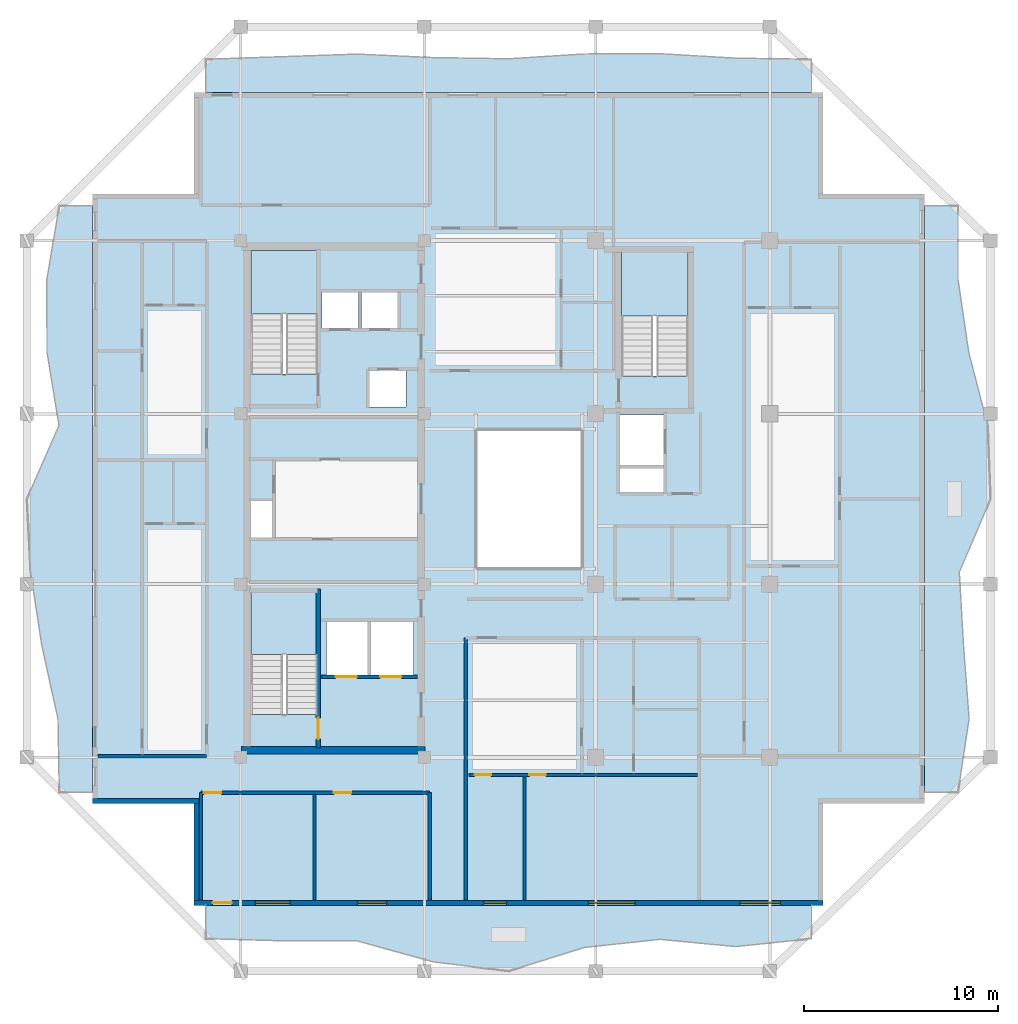
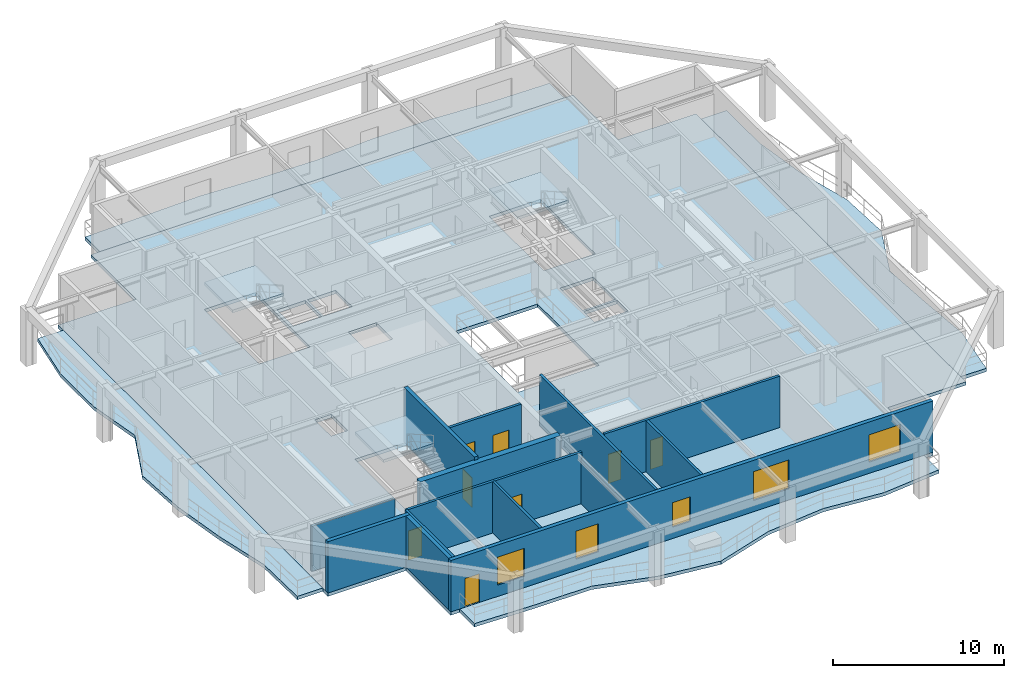
# One storey, part 2 of 11: 14 walls, 8 doors, 8 slabs, 5 windows, 13 openings, 3 elements without a shape of their own.
"""IFC4 building model written with IfcOpenShell, lengths in metres."""

from ifc_helpers import new_model, si_unit, direction, frame, frame_2d, origin, place, context, subcontext, project, spatial, polyline, rectangle, outline, extrude, material, layer, layer_set, type_object, element, fill, aggregate, save


model = new_model("IFC4")

# Units and contexts
model_context = context("Model", 3, precision=1e-05, world=origin(), true_north=direction((0.0, 1.0)))
body_context = subcontext(model_context, "Body", "Model", "MODEL_VIEW")
ifc_project = project(units=[si_unit("LENGTHUNIT", "METRE"), si_unit("AREAUNIT", "SQUARE_METRE"), si_unit("VOLUMEUNIT", "CUBIC_METRE"), si_unit("PLANEANGLEUNIT", "RADIAN"), si_unit("MASSUNIT", "GRAM", prefix="KILO")], contexts=[model_context])

# Site, building, storey
site_placement = place(None, origin())
site = spatial("IfcSite", under=ifc_project, at=site_placement, CompositionType="ELEMENT")
building_placement = place(site_placement, origin())
building = spatial("IfcBuilding", under=site, at=building_placement, Name="Kundavana Baori Tower", CompositionType="ELEMENT")
storey_placement = place(building_placement, frame((0.0, 0.0, 257.0)))
storey = spatial("IfcBuildingStorey", under=building, at=storey_placement, Name="L63", CompositionType="ELEMENT", Elevation=257.0)

# Slab
ifc_material_1 = material(Name="Concrete C40/50", Category="concrete")
ifc_layer_1 = layer(ifc_material_1, 0.239990234375, Name="SLB-FLR-240")
ifc_layer_set_1 = layer_set([ifc_layer_1], Name="Concrete C40/50")
slab_type_1 = type_object("IfcSlabType", Name="SLB-FLR-240", PredefinedType="FLOOR", material=ifc_layer_set_1)
slab_1_placement = place(storey_placement, frame((0.0, 0.0, -0.239990234375)))
element("IfcSlab", 1, at=slab_1_placement, inside=storey, type_object=slab_type_1, Name="L63 Structural Floor Slab", PredefinedType="FLOOR", context=body_context, shape_type="SweptSolid", body=[
    extrude(outline(polyline([(13.050048828125, 7.60009765625), (45.550048828125, 7.60009765625), (45.550048828125, 12.85009765625), (50.800048828125, 12.85009765625), (50.800048828125, 44.35009765625), (45.550048828125, 44.35009765625), (45.550048828125, 49.60009765625), (13.050048828125, 49.60009765625), (13.050048828125, 44.35009765625), (7.800048828125, 44.35009765625), (7.800048828125, 12.85009765625), (13.050048828125, 12.85009765625), (13.050048828125, 7.60009765625)]), holes=[polyline([(19.43994140625, 17.4619140625), (19.43994140625, 23.85009765625), (15.97998046875, 23.85009765625), (15.97998046875, 17.4619140625), (19.43994140625, 17.4619140625)]), polyline([(19.43994140625, 35.06201171875), (19.43994140625, 41.449951171875), (15.97998046875, 41.449951171875), (15.97998046875, 35.06201171875), (19.43994140625, 35.06201171875)]), polyline([(38.580078125, 34.9619140625), (38.580078125, 41.35009765625), (35.1201171875, 41.35009765625), (35.1201171875, 34.9619140625), (38.580078125, 34.9619140625)]), polyline([(19.64990234375, 37.39990234375), (21.550048828125, 37.39990234375), (21.550048828125, 39.300048828125), (19.64990234375, 39.300048828125), (19.64990234375, 37.39990234375)]), polyline([(21.699951171875, 37.39990234375), (23.60009765625, 37.39990234375), (23.60009765625, 39.300048828125), (21.699951171875, 39.300048828125), (21.699951171875, 37.39990234375)]), polyline([(22.10009765625, 33.35009765625), (24.0, 33.35009765625), (24.0, 35.25), (22.10009765625, 35.25), (22.10009765625, 33.35009765625)]), polyline([(19.8798828125, 19.5), (22.02001953125, 19.5), (22.02001953125, 22.25), (19.8798828125, 22.25), (19.8798828125, 19.5)]), polyline([(22.179931640625, 19.5), (24.3798828125, 19.5), (24.3798828125, 22.25), (22.179931640625, 22.25), (22.179931640625, 19.5)]), polyline([(35.050048828125, 30.35009765625), (37.300048828125, 30.35009765625), (37.300048828125, 32.949951171875), (35.050048828125, 32.949951171875), (35.050048828125, 30.35009765625)]), polyline([(15.949951171875, 26.60009765625), (17.080078125, 26.60009765625), (17.080078125, 28.5), (15.949951171875, 28.5), (15.949951171875, 26.60009765625)]), polyline([(35.050048828125, 28.949951171875), (37.300048828125, 28.949951171875), (37.300048828125, 30.199951171875), (35.050048828125, 30.199951171875), (35.050048828125, 28.949951171875)]), polyline([(27.60009765625, 25.0), (33.10009765625, 25.0), (33.10009765625, 32.199951171875), (27.60009765625, 32.199951171875), (27.60009765625, 25.0)])]), origin(), (0.0, 0.0, 1.0), 0.239990234375),
])

# Stair, slab
ifc_material_2 = material(Name="Concrete C40/50", Category="concrete")
stair_type = type_object("IfcStairType", Name="STR-DOG-1650", PredefinedType="HALF_TURN_STAIR", material=ifc_material_2)
stair_1_placement = place(storey_placement, origin())
stair_1 = element("IfcStair", 2, at=stair_1_placement, inside=storey, type_object=stair_type, Name="L63 Protected Exit Stair ST1", PredefinedType="HALF_TURN_STAIR")
ifc_material_3 = material(Name="Concrete C40/50", Category="concrete")
ifc_layer_2 = layer(ifc_material_3, 0.199951171875, Name="SLB-LND-200")
ifc_layer_set_2 = layer_set([ifc_layer_2], Name="Concrete C40/50")
slab_type_2 = type_object("IfcSlabType", Name="SLB-LND-200", PredefinedType="LANDING", material=ifc_layer_set_2)
slab_2_placement = place(storey_placement, frame((0.0, 0.0, 1.75)))
slab_2 = element("IfcSlab", 3, at=slab_2_placement, type_object=slab_type_2, Name="ST1 landing 1", PredefinedType="LANDING", context=body_context, shape_type="SweptSolid", body=[
    extrude(outline(polyline([(19.43994140625, 20.550048828125), (19.43994140625, 23.85009765625), (15.97998046875, 23.85009765625), (15.97998046875, 20.550048828125), (19.43994140625, 20.550048828125)])), origin(), (0.0, 0.0, 1.0), 0.199951171875),
])
aggregate(stair_1, [slab_2])

stair_2_placement = place(storey_placement, origin())
stair_2 = element("IfcStair", 4, at=stair_2_placement, inside=storey, type_object=stair_type, Name="L63 Protected Exit Stair ST2", PredefinedType="HALF_TURN_STAIR")
slab_3_placement = place(storey_placement, frame((0.0, 0.0, 1.75)))
slab_3 = element("IfcSlab", 5, at=slab_3_placement, type_object=slab_type_2, Name="ST2 landing 1", PredefinedType="LANDING", context=body_context, shape_type="SweptSolid", body=[
    extrude(outline(polyline([(19.43994140625, 38.14990234375), (19.43994140625, 41.449951171875), (15.97998046875, 41.449951171875), (15.97998046875, 38.14990234375), (19.43994140625, 38.14990234375)])), origin(), (0.0, 0.0, 1.0), 0.199951171875),
])
aggregate(stair_2, [slab_3])

stair_3_placement = place(storey_placement, origin())
stair_3 = element("IfcStair", 6, at=stair_3_placement, inside=storey, type_object=stair_type, Name="L63 Protected Exit Stair ST3", PredefinedType="HALF_TURN_STAIR")
slab_4_placement = place(storey_placement, frame((0.0, 0.0, 1.75)))
slab_4 = element("IfcSlab", 7, at=slab_4_placement, type_object=slab_type_2, Name="ST3 landing 1", PredefinedType="LANDING", context=body_context, shape_type="SweptSolid", body=[
    extrude(outline(polyline([(38.580078125, 38.050048828125), (38.580078125, 41.35009765625), (35.1201171875, 41.35009765625), (35.1201171875, 38.050048828125), (38.580078125, 38.050048828125)])), origin(), (0.0, 0.0, 1.0), 0.199951171875),
])
aggregate(stair_3, [slab_4])

# Slabs
ifc_material_4 = material(Name="Concrete C40/50", Category="concrete")
ifc_layer_3 = layer(ifc_material_4, 0.239990234375, Name="SLB-LOG-240")
ifc_layer_set_3 = layer_set([ifc_layer_3], Name="Concrete C40/50")
slab_type_3 = type_object("IfcSlabType", Name="SLB-LOG-240", PredefinedType="FLOOR", material=ifc_layer_set_3)
slab_5_placement = place(storey_placement, frame((0.0, 0.0, -0.239990234375)))
element("IfcSlab", 8, at=slab_5_placement, inside=storey, type_object=slab_type_3, Name="L63 Planted Loggia Balcony Slab S", PredefinedType="FLOOR", context=body_context, shape_type="SweptSolid", body=[
    extrude(outline(polyline([(13.64990234375, 7.60009765625), (44.949951171875, 7.60009765625), (44.949951171875, 5.8798828125), (41.0380859375, 5.468994140625), (37.125, 5.843017578125), (33.212890625, 5.425048828125), (29.300048828125, 4.199951171875), (25.387939453125, 4.68505859375), (21.47509765625, 5.761962890625), (17.56201171875, 5.76904296875), (13.64990234375, 5.8798828125), (13.64990234375, 7.60009765625)])), origin(), (0.0, 0.0, 1.0), 0.239990234375),
])
slab_6_placement = place(storey_placement, frame((0.0, 0.0, -0.239990234375)))
element("IfcSlab", 9, at=slab_6_placement, inside=storey, type_object=slab_type_3, Name="L63 Planted Loggia Balcony Slab E", PredefinedType="FLOOR", context=body_context, shape_type="SweptSolid", body=[
    extrude(outline(polyline([(50.800048828125, 13.449951171875), (50.800048828125, 43.75), (52.52001953125, 43.75), (52.52001953125, 39.9619140625), (53.073974609375, 36.175048828125), (54.05908203125, 32.387939453125), (54.199951171875, 28.60009765625), (52.589111328125, 24.81201171875), (52.805908203125, 21.02490234375), (53.093994140625, 17.238037109375), (52.52001953125, 13.449951171875), (50.800048828125, 13.449951171875)])), origin(), (0.0, 0.0, 1.0), 0.239990234375),
])
slab_7_placement = place(storey_placement, frame((0.0, 0.0, -0.239990234375)))
element("IfcSlab", 10, at=slab_7_placement, inside=storey, type_object=slab_type_3, Name="L63 Planted Loggia Balcony Slab N", PredefinedType="FLOOR", context=body_context, shape_type="SweptSolid", body=[
    extrude(outline(polyline([(44.949951171875, 49.60009765625), (13.64990234375, 49.60009765625), (13.64990234375, 51.320068359375), (17.56201171875, 51.452880859375), (21.47509765625, 51.5869140625), (25.387939453125, 51.408935546875), (29.300048828125, 51.345947265625), (33.212890625, 51.593994140625), (37.125, 51.60791015625), (41.0380859375, 51.3779296875), (44.949951171875, 51.320068359375), (44.949951171875, 49.60009765625)])), origin(), (0.0, 0.0, 1.0), 0.239990234375),
])
slab_8_placement = place(storey_placement, frame((0.0, 0.0, -0.239990234375)))
element("IfcSlab", 11, at=slab_8_placement, inside=storey, type_object=slab_type_3, Name="L63 Planted Loggia Balcony Slab W", PredefinedType="FLOOR", context=body_context, shape_type="SweptSolid", body=[
    extrude(outline(polyline([(7.800048828125, 43.75), (7.800048828125, 13.449951171875), (6.080078125, 13.449951171875), (6.010986328125, 17.238037109375), (5.177978515625, 21.02490234375), (4.596923828125, 24.81201171875), (4.39990234375, 28.60009765625), (6.06689453125, 32.387939453125), (5.446044921875, 36.175048828125), (5.43798828125, 39.9619140625), (6.080078125, 43.75), (7.800048828125, 43.75)])), origin(), (0.0, 0.0, 1.0), 0.239990234375),
])

# Wall
ifc_material_5 = material(Name="Concrete C50/60", Category="concrete")
ifc_layer_4 = layer(ifc_material_5, 0.39990234375, Name="WL-CORE-400")
ifc_layer_set_4 = layer_set([ifc_layer_4], Name="Concrete C50/60")
wall_type_1 = type_object("IfcWallType", Name="WL-CORE-400", PredefinedType="SHEAR", material=ifc_layer_set_4)
wall_1_placement = place(storey_placement, frame((15.5, 15.610107421875, 0.0), z_axis=(0.0, 0.0, 1.0), x_axis=(1.0, 0.0, 0.0)))
element("IfcWall", 12, at=wall_1_placement, inside=storey, type_object=wall_type_1, Name="L63 Offset Core South Shear Wall", PredefinedType="SHEAR", context=body_context, shape_type="SweptSolid", body=[
    extrude(rectangle(XDim=9.47998046875, YDim=0.39990234375, at=frame_2d((4.739990234375, 0.0))), origin(), (0.0, 0.0, 1.0), 3.659912109375),
])

# Wall, opening, door
wall_2_placement = place(storey_placement, frame((19.4599609375, 15.739990234375, 0.0), z_axis=(0.0, 0.0, 1.0), x_axis=(0.0, 1.0, 0.0)))
wall_2 = element("IfcWall", 13, at=wall_2_placement, inside=storey, type_object=wall_type_1, Name="WL-L63-ST1-E", PredefinedType="SHEAR", context=body_context, shape_type="SweptSolid", body=[
    extrude(rectangle(XDim=8.199951171875, YDim=0.239990234375, at=frame_2d((4.10009765625, 0.0))), origin(), (0.0, 0.0, 1.0), 3.89990234375),
])
opening_1_placement = place(wall_2_placement, frame((0.449951171875, 0.0, 0.0)))
opening_1 = element("IfcOpeningElement", 14, at=opening_1_placement, cuts=wall_2, Name="Opening FD-110", PredefinedType="OPENING", context=body_context, shape_type="SweptSolid", body=[
    extrude(rectangle(XDim=1.10009765625, YDim=2.10009765625, at=frame_2d((0.550048828125, 1.050048828125))), frame((0.0, 0.1298828125, 0.0), z_axis=(0.0, -1.0, 0.0), x_axis=(1.0, 0.0, 0.0)), (0.0, 0.0, 1.0), 0.260009765625),
])
ifc_material_6 = material(Name="Galvanised Steel Fire-Rated Door Leaf", Category="steel")
door_type_1 = type_object("IfcDoorType", Name="DR-FD120-1100", OperationType="NOTDEFINED", PredefinedType="DOOR", material=ifc_material_6)
door_1_placement = place(opening_1_placement, origin())
door_1 = element("IfcDoor", 15, at=door_1_placement, inside=storey, type_object=door_type_1, Name="DR-L63-ST1", OperationType="SINGLE_SWING_LEFT", OverallHeight=2.10009765625, OverallWidth=1.10009765625, PredefinedType="DOOR", context=body_context, shape_type="SweptSolid", body=[
    extrude(rectangle(XDim=1.10009765625, YDim=2.10009765625, at=frame_2d((0.550048828125, 1.050048828125))), frame((0.0, 0.02490234375, 0.0), z_axis=(0.0, -1.0, 0.0), x_axis=(1.0, 0.0, 0.0)), (0.0, 0.0, 1.0), 0.050048828125),
])
fill(opening_1, door_1)

# Wall, openings, door, windows
ifc_material_7 = material(Name="Kiln-Fired Terracotta Brick-Slip Masonry on Concrete C40/50", Category="masonry")
ifc_layer_5 = layer(ifc_material_7, 0.260009765625, Name="WL-EXT-BRK-260")
ifc_layer_set_5 = layer_set([ifc_layer_5], Name="Kiln-Fired Terracotta Brick-Slip Masonry on Concrete C40/50")
wall_type_2 = type_object("IfcWallType", Name="WL-EXT-BRK-260", PredefinedType="SOLIDWALL", material=ifc_layer_set_5)
wall_3_placement = place(storey_placement, frame((13.050048828125, 7.72998046875, 0.0), z_axis=(0.0, 0.0, 1.0), x_axis=(1.0, 0.0, 0.0)))
wall_3 = element("IfcWall", 16, at=wall_3_placement, inside=storey, type_object=wall_type_2, Name="L63 Exterior Insulated Facade Wall 01", PredefinedType="SOLIDWALL", context=body_context, shape_type="SweptSolid", body=[
    extrude(rectangle(XDim=32.5, YDim=0.260009765625, at=frame_2d((16.25, 0.0))), origin(), (0.0, 0.0, 1.0), 3.659912109375),
])
opening_2_placement = place(wall_3_placement, frame((0.949951171875, 0.0, 0.0)))
opening_2 = element("IfcOpeningElement", 17, at=opening_2_placement, cuts=wall_3, Name="Opening BD-1", PredefinedType="OPENING", context=body_context, shape_type="SweptSolid", body=[
    extrude(rectangle(XDim=1.0, YDim=2.050048828125, at=frame_2d((0.5, 1.02490234375))), frame((0.0, 0.14013671875, 0.0), z_axis=(0.0, -1.0, 0.0), x_axis=(1.0, 0.0, 0.0)), (0.0, 0.0, 1.0), 0.280029296875),
])
opening_3_placement = place(wall_3_placement, frame((3.159912109375, 0.0, 0.800048828125)))
opening_3 = element("IfcOpeningElement", 18, at=opening_3_placement, cuts=wall_3, Name="Opening W-01", PredefinedType="OPENING", context=body_context, shape_type="SweptSolid", body=[
    extrude(rectangle(XDim=1.800048828125, YDim=2.0, at=frame_2d((0.89990234375, 1.0))), frame((0.0, 0.14013671875, 0.0), z_axis=(0.0, -1.0, 0.0), x_axis=(1.0, 0.0, 0.0)), (0.0, 0.0, 1.0), 0.280029296875),
])
opening_4_placement = place(wall_3_placement, frame((8.445068359375, 0.0, 0.800048828125)))
opening_4 = element("IfcOpeningElement", 19, at=opening_4_placement, cuts=wall_3, Name="Opening W-02", PredefinedType="OPENING", context=body_context, shape_type="SweptSolid", body=[
    extrude(rectangle(XDim=1.5, YDim=2.0, at=frame_2d((0.75, 1.0))), frame((0.0, 0.14013671875, 0.0), z_axis=(0.0, -1.0, 0.0), x_axis=(1.0, 0.0, 0.0)), (0.0, 0.0, 1.0), 0.280029296875),
])
opening_5_placement = place(wall_3_placement, frame((14.951904296875, 0.0, 0.800048828125)))
opening_5 = element("IfcOpeningElement", 20, at=opening_5_placement, cuts=wall_3, Name="Opening W-03", PredefinedType="OPENING", context=body_context, shape_type="SweptSolid", body=[
    extrude(rectangle(XDim=1.199951171875, YDim=1.75, at=frame_2d((0.60009765625, 0.875))), frame((0.0, 0.14013671875, 0.0), z_axis=(0.0, -1.0, 0.0), x_axis=(1.0, 0.0, 0.0)), (0.0, 0.0, 1.0), 0.280029296875),
])
opening_6_placement = place(wall_3_placement, frame((20.387939453125, 0.0, 0.800048828125)))
opening_6 = element("IfcOpeningElement", 21, at=opening_6_placement, cuts=wall_3, Name="Opening W-04", PredefinedType="OPENING", context=body_context, shape_type="SweptSolid", body=[
    extrude(rectangle(XDim=2.39990234375, YDim=2.050048828125, at=frame_2d((1.199951171875, 1.02490234375))), frame((0.0, 0.14013671875, 0.0), z_axis=(0.0, -1.0, 0.0), x_axis=(1.0, 0.0, 0.0)), (0.0, 0.0, 1.0), 0.280029296875),
])
opening_7_placement = place(wall_3_placement, frame((28.195068359375, 0.0, 0.800048828125)))
opening_7 = element("IfcOpeningElement", 22, at=opening_7_placement, cuts=wall_3, Name="Opening W-05", PredefinedType="OPENING", context=body_context, shape_type="SweptSolid", body=[
    extrude(rectangle(XDim=2.10009765625, YDim=1.949951171875, at=frame_2d((1.050048828125, 0.97509765625))), frame((0.0, 0.14013671875, 0.0), z_axis=(0.0, -1.0, 0.0), x_axis=(1.0, 0.0, 0.0)), (0.0, 0.0, 1.0), 0.280029296875),
])
ifc_material_8 = material(Name="Architectural Patinated Bronze Metalwork")
door_type_2 = type_object("IfcDoorType", Name="DR-EXT-LOG-1000", OperationType="NOTDEFINED", PredefinedType="DOOR", material=ifc_material_8)
door_2_placement = place(opening_2_placement, frame((1.0, 0.0, 0.0), z_axis=(0.0, 0.0, 1.0), x_axis=(-1.0, 0.0, 0.0)))
door_2 = element("IfcDoor", 23, at=door_2_placement, inside=storey, type_object=door_type_2, Name="L63 Loggia Balcony Access Door S", OperationType="SINGLE_SWING_LEFT", OverallHeight=2.050048828125, OverallWidth=1.0, PredefinedType="DOOR", context=body_context, shape_type="SweptSolid", body=[
    extrude(rectangle(XDim=1.0, YDim=2.050048828125, at=frame_2d((0.5, 1.02490234375))), frame((0.0, 0.02490234375, 0.0), z_axis=(0.0, -1.0, 0.0), x_axis=(1.0, 0.0, 0.0)), (0.0, 0.0, 1.0), 0.050048828125),
])
fill(opening_2, door_2)
ifc_material_9 = material(Name="Double-Glazed Solar-Control Low-E Insulated Glass", Category="glass")
window_type_1 = type_object("IfcWindowType", Name="WIN-LOG-1200x1750", PartitioningType="SINGLE_PANEL", PredefinedType="WINDOW", material=ifc_material_9)
window_1_placement = place(opening_5_placement, origin())
window_1 = element("IfcWindow", 24, at=window_1_placement, inside=storey, type_object=window_type_1, Name="L63 Recessed Loggia Window S-3", OverallHeight=1.75, OverallWidth=1.199951171875, PartitioningType="SINGLE_PANEL", PredefinedType="WINDOW", context=body_context, shape_type="SweptSolid", body=[
    extrude(rectangle(XDim=1.199951171875, YDim=1.75, at=frame_2d((0.60009765625, 0.875))), frame((0.0, 0.030029296875, 0.0), z_axis=(0.0, -1.0, 0.0), x_axis=(1.0, 0.0, 0.0)), (0.0, 0.0, 1.0), 0.06005859375),
])
fill(opening_5, window_1)
ifc_material_10 = material(Name="Double-Glazed Solar-Control Low-E Insulated Glass", Category="glass")
window_type_2 = type_object("IfcWindowType", Name="WIN-LOG-1500x2000", PartitioningType="SINGLE_PANEL", PredefinedType="WINDOW", material=ifc_material_10)
window_2_placement = place(opening_4_placement, origin())
window_2 = element("IfcWindow", 25, at=window_2_placement, inside=storey, type_object=window_type_2, Name="L63 Recessed Loggia Window S-2", OverallHeight=2.0, OverallWidth=1.5, PartitioningType="SINGLE_PANEL", PredefinedType="WINDOW", context=body_context, shape_type="SweptSolid", body=[
    extrude(rectangle(XDim=1.5, YDim=2.0, at=frame_2d((0.75, 1.0))), frame((0.0, 0.030029296875, 0.0), z_axis=(0.0, -1.0, 0.0), x_axis=(1.0, 0.0, 0.0)), (0.0, 0.0, 1.0), 0.06005859375),
])
fill(opening_4, window_2)
ifc_material_11 = material(Name="Double-Glazed Solar-Control Low-E Insulated Glass", Category="glass")
window_type_3 = type_object("IfcWindowType", Name="WIN-LOG-1800x2000", PartitioningType="SINGLE_PANEL", PredefinedType="WINDOW", material=ifc_material_11)
window_3_placement = place(opening_3_placement, origin())
window_3 = element("IfcWindow", 26, at=window_3_placement, inside=storey, type_object=window_type_3, Name="L63 Recessed Loggia Window S-1", OverallHeight=2.0, OverallWidth=1.800048828125, PartitioningType="SINGLE_PANEL", PredefinedType="WINDOW", context=body_context, shape_type="SweptSolid", body=[
    extrude(rectangle(XDim=1.800048828125, YDim=2.0, at=frame_2d((0.89990234375, 1.0))), frame((0.0, 0.030029296875, 0.0), z_axis=(0.0, -1.0, 0.0), x_axis=(1.0, 0.0, 0.0)), (0.0, 0.0, 1.0), 0.06005859375),
])
fill(opening_3, window_3)
ifc_material_12 = material(Name="Double-Glazed Solar-Control Low-E Insulated Glass", Category="glass")
window_type_4 = type_object("IfcWindowType", Name="WIN-LOG-2100x1950", PartitioningType="SINGLE_PANEL", PredefinedType="WINDOW", material=ifc_material_12)
window_4_placement = place(opening_7_placement, origin())
window_4 = element("IfcWindow", 27, at=window_4_placement, inside=storey, type_object=window_type_4, Name="L63 Recessed Loggia Window S-5", OverallHeight=1.949951171875, OverallWidth=2.10009765625, PartitioningType="SINGLE_PANEL", PredefinedType="WINDOW", context=body_context, shape_type="SweptSolid", body=[
    extrude(rectangle(XDim=2.10009765625, YDim=1.949951171875, at=frame_2d((1.050048828125, 0.97509765625))), frame((0.0, 0.030029296875, 0.0), z_axis=(0.0, -1.0, 0.0), x_axis=(1.0, 0.0, 0.0)), (0.0, 0.0, 1.0), 0.06005859375),
])
fill(opening_7, window_4)
ifc_material_13 = material(Name="Double-Glazed Solar-Control Low-E Insulated Glass", Category="glass")
window_type_5 = type_object("IfcWindowType", Name="WIN-LOG-2400x2050", PartitioningType="SINGLE_PANEL", PredefinedType="WINDOW", material=ifc_material_13)
window_5_placement = place(opening_6_placement, origin())
window_5 = element("IfcWindow", 28, at=window_5_placement, inside=storey, type_object=window_type_5, Name="L63 Recessed Loggia Window S-4", OverallHeight=2.050048828125, OverallWidth=2.39990234375, PartitioningType="SINGLE_PANEL", PredefinedType="WINDOW", context=body_context, shape_type="SweptSolid", body=[
    extrude(rectangle(XDim=2.39990234375, YDim=2.050048828125, at=frame_2d((1.199951171875, 1.02490234375))), frame((0.0, 0.030029296875, 0.0), z_axis=(0.0, -1.0, 0.0), x_axis=(1.0, 0.0, 0.0)), (0.0, 0.0, 1.0), 0.06005859375),
])
fill(opening_6, window_5)

# Walls
wall_4_placement = place(storey_placement, frame((7.800048828125, 12.97998046875, 0.0), z_axis=(0.0, 0.0, 1.0), x_axis=(1.0, 0.0, 0.0)))
element("IfcWall", 29, at=wall_4_placement, inside=storey, type_object=wall_type_2, Name="L63 Exterior Insulated Facade Wall 11", PredefinedType="SOLIDWALL", context=body_context, shape_type="SweptSolid", body=[
    extrude(rectangle(XDim=5.510009765625, YDim=0.260009765625, at=frame_2d((2.7548828125, 0.0))), origin(), (0.0, 0.0, 1.0), 3.659912109375),
])
wall_5_placement = place(storey_placement, frame((13.179931640625, 12.85009765625, 0.0), z_axis=(0.0, 0.0, 1.0), x_axis=(0.0, -1.0, 0.0)))
element("IfcWall", 30, at=wall_5_placement, inside=storey, type_object=wall_type_2, Name="L63 Exterior Insulated Facade Wall 12", PredefinedType="SOLIDWALL", context=body_context, shape_type="SweptSolid", body=[
    extrude(rectangle(XDim=4.989990234375, YDim=0.260009765625, at=frame_2d((2.4951171875, 0.0))), origin(), (0.0, 0.0, 1.0), 3.659912109375),
])
ifc_material_14 = material(Name="Fire-Rated Gypsum Drywall on Galvanised Steel Studs", Category="steel")
ifc_layer_6 = layer(ifc_material_14, 0.1650390625, Name="WL-PART-165")
ifc_layer_set_6 = layer_set([ifc_layer_6], Name="Fire-Rated Gypsum Drywall on Galvanised Steel Studs")
wall_type_3 = type_object("IfcWallType", Name="WL-PART-165", PredefinedType="PARTITIONING", material=ifc_layer_set_6)
wall_6_placement = place(storey_placement, frame((27.080078125, 7.8798828125, 0.0), z_axis=(0.0, 0.0, 1.0), x_axis=(0.0, 1.0, 0.0)))
element("IfcWall", 31, at=wall_6_placement, inside=storey, type_object=wall_type_3, Name="WL-L63-RSW", PredefinedType="PARTITIONING", context=body_context, shape_type="SweptSolid", body=[
    extrude(rectangle(XDim=13.5400390625, YDim=0.1650390625, at=frame_2d((6.77001953125, 0.0))), origin(), (0.0, 0.0, 1.0), 3.659912109375),
])

# Wall, openings, doors
wall_7_placement = place(storey_placement, frame((13.39990234375, 13.419921875, 0.0), z_axis=(0.0, 0.0, 1.0), x_axis=(1.0, 0.0, 0.0)))
wall_7 = element("IfcWall", 32, at=wall_7_placement, inside=storey, type_object=wall_type_3, Name="WL-L63-RSC", PredefinedType="PARTITIONING", context=body_context, shape_type="SweptSolid", body=[
    extrude(rectangle(XDim=11.820068359375, YDim=0.1650390625, at=frame_2d((5.91015625, 0.0))), origin(), (0.0, 0.0, 1.0), 3.659912109375),
])
opening_8_placement = place(wall_7_placement, frame((0.14990234375, 0.0, 0.0)))
opening_8 = element("IfcOpeningElement", 33, at=opening_8_placement, cuts=wall_7, Name="Opening ID-090", PredefinedType="OPENING", context=body_context, shape_type="SweptSolid", body=[
    extrude(rectangle(XDim=0.89990234375, YDim=2.080078125, at=frame_2d((0.449951171875, 1.0400390625))), frame((0.0, 0.092529296875, 0.0), z_axis=(0.0, -1.0, 0.0), x_axis=(1.0, 0.0, 0.0)), (0.0, 0.0, 1.0), 0.18505859375),
])
opening_9_placement = place(wall_7_placement, frame((6.8701171875, 0.0, 0.0)))
opening_9 = element("IfcOpeningElement", 34, at=opening_9_placement, cuts=wall_7, Name="Opening ID-090", PredefinedType="OPENING", context=body_context, shape_type="SweptSolid", body=[
    extrude(rectangle(XDim=0.89990234375, YDim=2.080078125, at=frame_2d((0.449951171875, 1.0400390625))), frame((0.0, 0.092529296875, 0.0), z_axis=(0.0, -1.0, 0.0), x_axis=(1.0, 0.0, 0.0)), (0.0, 0.0, 1.0), 0.18505859375),
])
ifc_material_15 = material(Name="Engineered Teak Solid-Core Timber Veneer", Category="wood")
door_type_3 = type_object("IfcDoorType", Name="DR-INT-900", OperationType="NOTDEFINED", PredefinedType="DOOR", material=ifc_material_15)
door_3_placement = place(opening_8_placement, frame((0.89990234375, 0.0, 0.0), z_axis=(0.0, 0.0, 1.0), x_axis=(-1.0, 0.0, 0.0)))
door_3 = element("IfcDoor", 35, at=door_3_placement, inside=storey, type_object=door_type_3, Name="DR-L63-RMSW1", OperationType="SINGLE_SWING_LEFT", OverallHeight=2.080078125, OverallWidth=0.89990234375, PredefinedType="DOOR", context=body_context, shape_type="SweptSolid", body=[
    extrude(rectangle(XDim=0.89990234375, YDim=2.080078125, at=frame_2d((0.449951171875, 1.0400390625))), frame((0.0, 0.02490234375, 0.0), z_axis=(0.0, -1.0, 0.0), x_axis=(1.0, 0.0, 0.0)), (0.0, 0.0, 1.0), 0.050048828125),
])
fill(opening_8, door_3)
door_4_placement = place(opening_9_placement, frame((0.89990234375, 0.0, 0.0), z_axis=(0.0, 0.0, 1.0), x_axis=(-1.0, 0.0, 0.0)))
door_4 = element("IfcDoor", 36, at=door_4_placement, inside=storey, type_object=door_type_3, Name="DR-L63-RMSW2", OperationType="SINGLE_SWING_RIGHT", OverallHeight=2.080078125, OverallWidth=0.89990234375, PredefinedType="DOOR", context=body_context, shape_type="SweptSolid", body=[
    extrude(rectangle(XDim=0.89990234375, YDim=2.080078125, at=frame_2d((0.449951171875, 1.0400390625))), frame((0.0, 0.02490234375, 0.0), z_axis=(0.0, -1.0, 0.0), x_axis=(1.0, 0.0, 0.0)), (0.0, 0.0, 1.0), 0.050048828125),
])
fill(opening_9, door_4)

# Walls
wall_8_placement = place(storey_placement, frame((13.39990234375, 7.8798828125, 0.0), z_axis=(0.0, 0.0, 1.0), x_axis=(0.0, 1.0, 0.0)))
element("IfcWall", 37, at=wall_8_placement, inside=storey, type_object=wall_type_3, Name="WL-L63-RSCW", PredefinedType="PARTITIONING", context=body_context, shape_type="SweptSolid", body=[
    extrude(rectangle(XDim=5.5400390625, YDim=0.1650390625, at=frame_2d((2.77001953125, 0.0))), origin(), (0.0, 0.0, 1.0), 3.659912109375),
])
wall_9_placement = place(storey_placement, frame((25.219970703125, 7.8798828125, 0.0), z_axis=(0.0, 0.0, 1.0), x_axis=(0.0, 1.0, 0.0)))
element("IfcWall", 38, at=wall_9_placement, inside=storey, type_object=wall_type_3, Name="WL-L63-RSCE", PredefinedType="PARTITIONING", context=body_context, shape_type="SweptSolid", body=[
    extrude(rectangle(XDim=5.5400390625, YDim=0.1650390625, at=frame_2d((2.77001953125, 0.0))), origin(), (0.0, 0.0, 1.0), 3.2099609375),
])
wall_10_placement = place(storey_placement, frame((19.27001953125, 7.8798828125, 0.0), z_axis=(0.0, 0.0, 1.0), x_axis=(0.0, 1.0, 0.0)))
element("IfcWall", 39, at=wall_10_placement, inside=storey, type_object=wall_type_3, Name="WL-L63-RSCD", PredefinedType="PARTITIONING", context=body_context, shape_type="SweptSolid", body=[
    extrude(rectangle(XDim=5.480224609375, YDim=0.1650390625, at=frame_2d((2.740234375, 0.0))), origin(), (0.0, 0.0, 1.0), 3.659912109375),
])
wall_11_placement = place(storey_placement, frame((8.080078125, 15.300048828125, 0.0), z_axis=(0.0, 0.0, 1.0), x_axis=(1.0, 0.0, 0.0)))
element("IfcWall", 40, at=wall_11_placement, inside=storey, type_object=wall_type_3, Name="WL-L63-RWS", PredefinedType="PARTITIONING", context=body_context, shape_type="SweptSolid", body=[
    extrude(rectangle(XDim=5.619873046875, YDim=0.1650390625, at=frame_2d((2.81005859375, 0.0))), origin(), (0.0, 0.0, 1.0), 3.2099609375),
])

# Wall, openings, doors
wall_12_placement = place(storey_placement, frame((27.239990234375, 14.341064453125, 0.0), z_axis=(0.0, 0.0, 1.0), x_axis=(1.0, 0.0, 0.0)))
wall_12 = element("IfcWall", 41, at=wall_12_placement, inside=storey, type_object=wall_type_3, Name="WL-L63-S1-HZ", PredefinedType="PARTITIONING", context=body_context, shape_type="SweptSolid", body=[
    extrude(rectangle(XDim=11.830078125, YDim=0.1650390625, at=frame_2d((5.9150390625, 0.0))), origin(), (0.0, 0.0, 1.0), 3.659912109375),
])
opening_10_placement = place(wall_12_placement, frame((0.300048828125, 0.0, 0.0)))
opening_10 = element("IfcOpeningElement", 42, at=opening_10_placement, cuts=wall_12, Name="Opening ID-085", PredefinedType="OPENING", context=body_context, shape_type="SweptSolid", body=[
    extrude(rectangle(XDim=0.85009765625, YDim=2.080078125, at=frame_2d((0.425048828125, 1.0400390625))), frame((0.0, 0.092529296875, 0.0), z_axis=(0.0, -1.0, 0.0), x_axis=(1.0, 0.0, 0.0)), (0.0, 0.0, 1.0), 0.18505859375),
])
opening_11_placement = place(wall_12_placement, frame((3.135009765625, 0.0, 0.0)))
opening_11 = element("IfcOpeningElement", 43, at=opening_11_placement, cuts=wall_12, Name="Opening ID-085", PredefinedType="OPENING", context=body_context, shape_type="SweptSolid", body=[
    extrude(rectangle(XDim=0.85009765625, YDim=2.080078125, at=frame_2d((0.425048828125, 1.0400390625))), frame((0.0, 0.092529296875, 0.0), z_axis=(0.0, -1.0, 0.0), x_axis=(1.0, 0.0, 0.0)), (0.0, 0.0, 1.0), 0.18505859375),
])
ifc_material_16 = material(Name="Engineered Teak Solid-Core Timber Veneer", Category="wood")
door_type_4 = type_object("IfcDoorType", Name="DR-INT-850", OperationType="NOTDEFINED", PredefinedType="DOOR", material=ifc_material_16)
door_5_placement = place(opening_10_placement, frame((0.85009765625, 0.0, 0.0), z_axis=(0.0, 0.0, 1.0), x_axis=(-1.0, 0.0, 0.0)))
door_5 = element("IfcDoor", 44, at=door_5_placement, inside=storey, type_object=door_type_4, Name="DR-L63-S1-B1", OperationType="SINGLE_SWING_LEFT", OverallHeight=2.080078125, OverallWidth=0.85009765625, PredefinedType="DOOR", context=body_context, shape_type="SweptSolid", body=[
    extrude(rectangle(XDim=0.85009765625, YDim=2.080078125, at=frame_2d((0.425048828125, 1.0400390625))), frame((0.0, 0.02490234375, 0.0), z_axis=(0.0, -1.0, 0.0), x_axis=(1.0, 0.0, 0.0)), (0.0, 0.0, 1.0), 0.050048828125),
])
fill(opening_10, door_5)
door_6_placement = place(opening_11_placement, frame((0.85009765625, 0.0, 0.0), z_axis=(0.0, 0.0, 1.0), x_axis=(-1.0, 0.0, 0.0)))
door_6 = element("IfcDoor", 45, at=door_6_placement, inside=storey, type_object=door_type_4, Name="DR-L63-S1-B2", OperationType="SINGLE_SWING_RIGHT", OverallHeight=2.080078125, OverallWidth=0.85009765625, PredefinedType="DOOR", context=body_context, shape_type="SweptSolid", body=[
    extrude(rectangle(XDim=0.85009765625, YDim=2.080078125, at=frame_2d((0.425048828125, 1.0400390625))), frame((0.0, 0.02490234375, 0.0), z_axis=(0.0, -1.0, 0.0), x_axis=(1.0, 0.0, 0.0)), (0.0, 0.0, 1.0), 0.050048828125),
])
fill(opening_11, door_6)

# Wall
wall_13_placement = place(storey_placement, frame((30.125, 7.8798828125, 0.0), z_axis=(0.0, 0.0, 1.0), x_axis=(0.0, 1.0, 0.0)))
element("IfcWall", 46, at=wall_13_placement, inside=storey, type_object=wall_type_3, Name="WL-L63-S1-BDV", PredefinedType="PARTITIONING", context=body_context, shape_type="SweptSolid", body=[
    extrude(rectangle(XDim=6.381103515625, YDim=0.1650390625, at=frame_2d((3.1904296875, 0.0))), origin(), (0.0, 0.0, 1.0), 3.659912109375),
])

# Wall, openings, doors
ifc_material_17 = material(Name="Autoclaved Aerated Concrete Blockwork Masonry", Category="masonry")
ifc_layer_7 = layer(ifc_material_17, 0.179931640625, Name="WL-SHAFT-180")
ifc_layer_set_7 = layer_set([ifc_layer_7], Name="Autoclaved Aerated Concrete Blockwork Masonry")
wall_type_4 = type_object("IfcWallType", Name="WL-SHAFT-180", PredefinedType="SOLIDWALL", material=ifc_layer_set_7)
wall_14_placement = place(storey_placement, frame((19.639892578125, 19.419921875, 0.0), z_axis=(0.0, 0.0, 1.0), x_axis=(1.0, 0.0, 0.0)))
wall_14 = element("IfcWall", 47, at=wall_14_placement, inside=storey, type_object=wall_type_4, Name="WL-L63-FFL-S", PredefinedType="SOLIDWALL", context=body_context, shape_type="SweptSolid", body=[
    extrude(rectangle(XDim=4.940185546875, YDim=0.179931640625, at=frame_2d((2.47021484375, 0.0))), origin(), (0.0, 0.0, 1.0), 3.659912109375),
])
opening_12_placement = place(wall_14_placement, frame((0.719970703125, 0.0, 0.0)))
opening_12 = element("IfcOpeningElement", 48, at=opening_12_placement, cuts=wall_14, Name="Opening LD-110", PredefinedType="OPENING", context=body_context, shape_type="SweptSolid", body=[
    extrude(rectangle(XDim=1.10009765625, YDim=2.10009765625, at=frame_2d((0.550048828125, 1.050048828125))), frame((0.0, 0.10009765625, 0.0), z_axis=(0.0, -1.0, 0.0), x_axis=(1.0, 0.0, 0.0)), (0.0, 0.0, 1.0), 0.199951171875),
])
opening_13_placement = place(wall_14_placement, frame((3.02001953125, 0.0, 0.0)))
opening_13 = element("IfcOpeningElement", 49, at=opening_13_placement, cuts=wall_14, Name="Opening LD-110", PredefinedType="OPENING", context=body_context, shape_type="SweptSolid", body=[
    extrude(rectangle(XDim=1.10009765625, YDim=2.10009765625, at=frame_2d((0.550048828125, 1.050048828125))), frame((0.0, 0.10009765625, 0.0), z_axis=(0.0, -1.0, 0.0), x_axis=(1.0, 0.0, 0.0)), (0.0, 0.0, 1.0), 0.199951171875),
])
ifc_material_18 = material(Name="Galvanised Steel Fire-Rated Door Leaf", Category="steel")
door_type_5 = type_object("IfcDoorType", Name="DR-SLIDE-LD1100", OperationType="NOTDEFINED", PredefinedType="DOOR", material=ifc_material_18)
door_7_placement = place(opening_12_placement, origin())
door_7 = element("IfcDoor", 50, at=door_7_placement, inside=storey, type_object=door_type_5, Name="DR-L63-LD-FFL-1", OperationType="DOUBLE_DOOR_SLIDING", OverallHeight=2.10009765625, OverallWidth=1.10009765625, PredefinedType="DOOR", context=body_context, shape_type="SweptSolid", body=[
    extrude(rectangle(XDim=1.10009765625, YDim=2.10009765625, at=frame_2d((0.550048828125, 1.050048828125))), frame((0.0, 0.02490234375, 0.0), z_axis=(0.0, -1.0, 0.0), x_axis=(1.0, 0.0, 0.0)), (0.0, 0.0, 1.0), 0.050048828125),
])
fill(opening_12, door_7)
door_8_placement = place(opening_13_placement, origin())
door_8 = element("IfcDoor", 51, at=door_8_placement, inside=storey, type_object=door_type_5, Name="DR-L63-LD-FFL-2", OperationType="DOUBLE_DOOR_SLIDING", OverallHeight=2.10009765625, OverallWidth=1.10009765625, PredefinedType="DOOR", context=body_context, shape_type="SweptSolid", body=[
    extrude(rectangle(XDim=1.10009765625, YDim=2.10009765625, at=frame_2d((0.550048828125, 1.050048828125))), frame((0.0, 0.02490234375, 0.0), z_axis=(0.0, -1.0, 0.0), x_axis=(1.0, 0.0, 0.0)), (0.0, 0.0, 1.0), 0.050048828125),
])
fill(opening_13, door_8)

save(model, "model.ifc")
